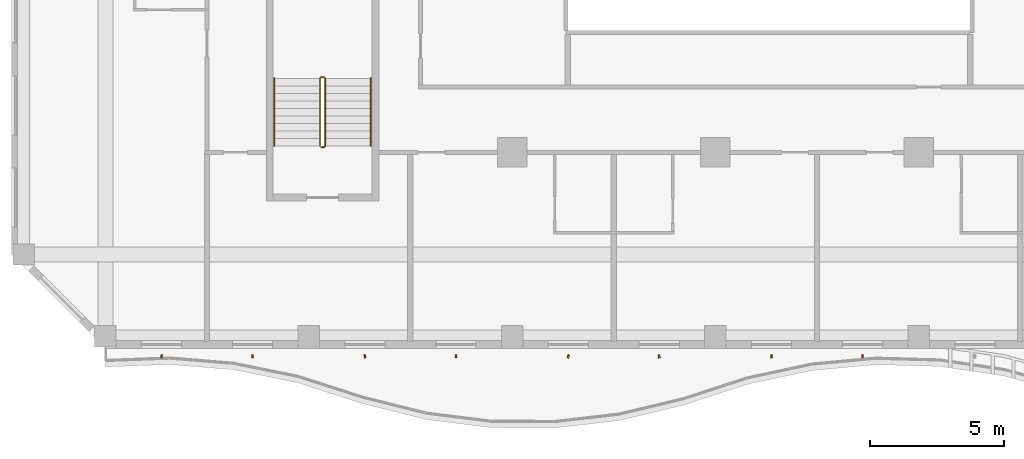
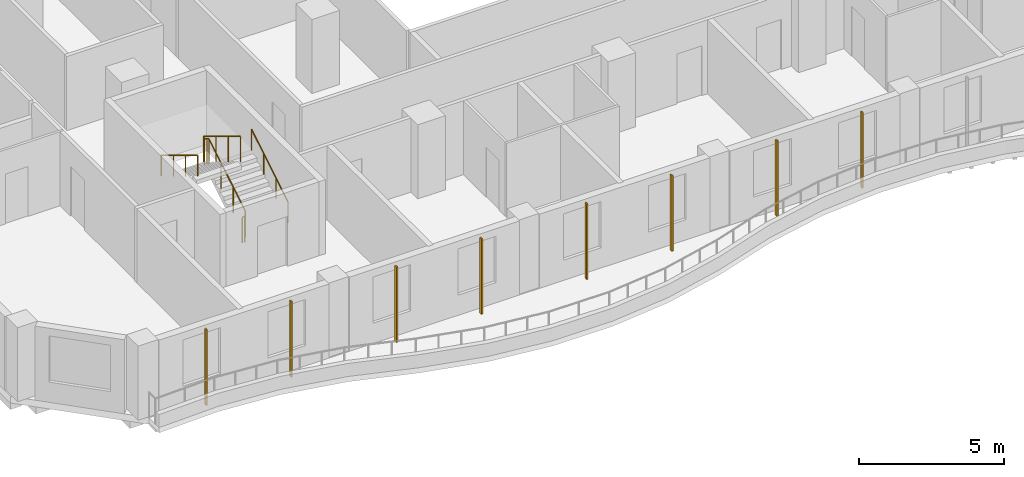
# One storey, part 14 of 20: 8 shading devices, 3 railings.
"""IFC4 building model written with IfcOpenShell, lengths in metres."""

from ifc_helpers import new_model, si_unit, direction, frame, origin, origin_2d, place, context, subcontext, project, spatial, rectangle, circle, extrude, source, transform, mapped, material, material_profile, profile_set, type_object, element, save


model = new_model("IFC4")

# Units and contexts
model_context = context("Model", 3, precision=1e-05, world=origin(), true_north=direction((0.0, 1.0)))
body_context = subcontext(model_context, "Body", "Model", "MODEL_VIEW")
ifc_project = project(units=[si_unit("LENGTHUNIT", "METRE"), si_unit("AREAUNIT", "SQUARE_METRE"), si_unit("VOLUMEUNIT", "CUBIC_METRE"), si_unit("PLANEANGLEUNIT", "RADIAN"), si_unit("MASSUNIT", "GRAM", prefix="KILO")], contexts=[model_context])

# Site, building, storey
site_placement = place(None, origin())
site = spatial("IfcSite", under=ifc_project, at=site_placement, CompositionType="ELEMENT")
building_placement = place(site_placement, origin())
building = spatial("IfcBuilding", under=site, at=building_placement, Name="Kilnfold Tower and Market Hall", CompositionType="ELEMENT")
storey_placement = place(building_placement, frame((0.0, 0.0, 157.5)))
storey = spatial("IfcBuildingStorey", under=building, at=storey_placement, Name="L36", CompositionType="ELEMENT", Elevation=157.5)

# Railings
ifc_material_1 = material(Name="Stainless steel 316", Category="steel")
railing_type_1 = type_object("IfcRailingType", Name="CORE STAIR GUARD 1100", PredefinedType="GUARDRAIL", material=ifc_material_1)
railing_1_placement = place(storey_placement, frame((-15.699951171875, -13.75, 0.0)))
element("IfcRailing", 1, at=railing_1_placement, inside=storey, type_object=railing_type_1, Name="L36 ST3 stair guard 1", PredefinedType="GUARDRAIL", context=body_context, shape_type="SweptSolid", body=[
    extrude(circle(Radius=0.02392578125, at=origin_2d()), frame((0.0, 0.0, 1.076171875), z_axis=(1.0, 0.0, 0.0), x_axis=(0.0, 1.0, 0.0)), (0.0, 0.0, 1.0), 0.099853515625),
    extrude(circle(Radius=0.02392578125, at=origin_2d()), frame((0.099853515625, 0.0, 1.076171875), z_axis=(0.271895245746, 0.271895245746, 0.923117517265), x_axis=(-0.707106781187, 0.707106781187, 0.0)), (0.0, 0.0, 1.0), 0.18408203125),
    extrude(circle(Radius=0.02392578125, at=origin_2d()), frame((0.14990234375, 0.050048828125, 1.24609375), z_axis=(0.0, 0.85478489116, 0.518982456201), x_axis=(-1.0, 0.0, 0.0)), (0.0, 0.0, 1.0), 2.9482421875),
    extrude(circle(Radius=0.02392578125, at=origin_2d()), frame((0.14990234375, 2.570068359375, 2.77587890625), z_axis=(-0.707106781187, 0.707106781187, 0.0), x_axis=(-0.707106781187, -0.707106781187, 0.0)), (0.0, 0.0, 1.0), 0.07080078125),
    extrude(circle(Radius=0.02392578125, at=origin_2d()), frame((0.099853515625, 2.6201171875, 2.77587890625), z_axis=(-1.0, 0.0, 0.0), x_axis=(0.0, -1.0, 0.0)), (0.0, 0.0, 1.0), 0.099853515625),
    extrude(circle(Radius=0.02392578125, at=origin_2d()), frame((0.0, 2.6201171875, 2.77587890625), z_axis=(-0.271562723297, -0.271562723297, 0.923313259209), x_axis=(0.707106781187, -0.707106781187, 0.0)), (0.0, 0.0, 1.0), 0.184326171875),
    extrude(circle(Radius=0.02392578125, at=origin_2d()), frame((-0.050048828125, 2.570068359375, 2.9462890625), z_axis=(0.0, -0.854821627497, 0.518921945155), x_axis=(1.0, 0.0, 0.0)), (0.0, 0.0, 1.0), 2.947998046875),
    extrude(circle(Radius=0.02099609375, at=origin_2d()), origin(), (0.0, 0.0, 1.0), 1.052001953125),
    extrude(circle(Radius=0.02099609375, at=origin_2d()), frame((0.099853515625, 0.0, 0.0)), (0.0, 0.0, 1.0), 1.052001953125),
    extrude(circle(Radius=0.02099609375, at=origin_2d()), frame((0.14990234375, 0.050048828125, 0.169921875)), (0.0, 0.0, 1.0), 1.052001953125),
    extrude(circle(Radius=0.02099609375, at=origin_2d()), frame((0.14990234375, 0.89013671875, 0.679931640625)), (0.0, 0.0, 1.0), 1.052001953125),
    extrude(circle(Radius=0.02099609375, at=origin_2d()), frame((0.14990234375, 1.72998046875, 1.18994140625)), (0.0, 0.0, 1.0), 1.052001953125),
    extrude(circle(Radius=0.02099609375, at=origin_2d()), frame((0.14990234375, 2.570068359375, 1.699951171875)), (0.0, 0.0, 1.0), 1.052001953125),
    extrude(circle(Radius=0.02099609375, at=origin_2d()), frame((0.099853515625, 2.6201171875, 1.699951171875)), (0.0, 0.0, 1.0), 1.052001953125),
    extrude(circle(Radius=0.02099609375, at=origin_2d()), frame((0.0, 2.6201171875, 1.699951171875)), (0.0, 0.0, 1.0), 1.052001953125),
    extrude(circle(Radius=0.02099609375, at=origin_2d()), frame((-0.050048828125, 2.570068359375, 1.8701171875)), (0.0, 0.0, 1.0), 1.052001953125),
    extrude(circle(Radius=0.02099609375, at=origin_2d()), frame((-0.050048828125, 1.72998046875, 2.380126953125)), (0.0, 0.0, 1.0), 1.052001953125),
    extrude(circle(Radius=0.02099609375, at=origin_2d()), frame((-0.050048828125, 0.89013671875, 2.889892578125)), (0.0, 0.0, 1.0), 1.052001953125),
    extrude(circle(Radius=0.02099609375, at=origin_2d()), frame((-0.050048828125, 0.050048828125, 3.39990234375)), (0.0, 0.0, 1.0), 1.052001953125),
])
ifc_material_2 = material(Name="Stainless steel 316", Category="steel")
railing_type_2 = type_object("IfcRailingType", Name="CORE STAIR HANDRAIL 900", PredefinedType="HANDRAIL", material=ifc_material_2)
railing_2_placement = place(storey_placement, frame((-13.85009765625, -13.699951171875, 0.169921875)))
element("IfcRailing", 2, at=railing_2_placement, inside=storey, type_object=railing_type_2, Name="L36 ST3 stair handrail 1", PredefinedType="HANDRAIL", context=body_context, shape_type="SweptSolid", body=[
    extrude(circle(Radius=0.02392578125, at=origin_2d()), frame((0.0, 0.0, 0.8759765625), z_axis=(0.0, 0.85478489116, 0.518982456201), x_axis=(-1.0, 0.0, 0.0)), (0.0, 0.0, 1.0), 2.9482421875),
    extrude(circle(Radius=0.02099609375, at=origin_2d()), origin(), (0.0, 0.0, 1.0), 0.851806640625),
    extrude(circle(Radius=0.02099609375, at=origin_2d()), frame((0.0, 0.840087890625, 0.510009765625)), (0.0, 0.0, 1.0), 0.851806640625),
    extrude(circle(Radius=0.02099609375, at=origin_2d()), frame((0.0, 1.679931640625, 1.02001953125)), (0.0, 0.0, 1.0), 0.851806640625),
    extrude(circle(Radius=0.02099609375, at=origin_2d()), frame((0.0, 2.52001953125, 1.530029296875)), (0.0, 0.0, 1.0), 0.851806640625),
])
railing_3_placement = place(storey_placement, frame((-17.449951171875, -11.179931640625, 1.8701171875)))
element("IfcRailing", 3, at=railing_3_placement, inside=storey, type_object=railing_type_2, Name="L36 ST3 stair handrail 2", PredefinedType="HANDRAIL", context=body_context, shape_type="SweptSolid", body=[
    extrude(circle(Radius=0.02392578125, at=origin_2d()), frame((0.0, 0.0, 0.8759765625), z_axis=(0.0, -0.854821627497, 0.518921945155), x_axis=(1.0, 0.0, 0.0)), (0.0, 0.0, 1.0), 2.947998046875),
    extrude(circle(Radius=0.02099609375, at=origin_2d()), origin(), (0.0, 0.0, 1.0), 0.851806640625),
    extrude(circle(Radius=0.02099609375, at=origin_2d()), frame((0.0, -0.840087890625, 0.510009765625)), (0.0, 0.0, 1.0), 0.851806640625),
    extrude(circle(Radius=0.02099609375, at=origin_2d()), frame((0.0, -1.679931640625, 1.019775390625)), (0.0, 0.0, 1.0), 0.851806640625),
    extrude(circle(Radius=0.02099609375, at=origin_2d()), frame((0.0, -2.52001953125, 1.52978515625)), (0.0, 0.0, 1.0), 0.851806640625),
])

# Shading devices
ifc_material_3 = material(Name="Terracotta", Category="masonry")
ifc_material_profile = material_profile(ifc_material_3, rectangle(XDim=0.06005859375, YDim=0.1201171875, at=origin_2d()), Name="BAG 60x120")
ifc_profile_set = profile_set([ifc_material_profile], Name="Terracotta")
shading_device_type = type_object("IfcShadingDeviceType", Name="BAGUETTE", PredefinedType="USERDEFINED", material=ifc_profile_set)
shared_shape = source(origin(), body_context, "Body", "SweptSolid", [
    extrude(rectangle(XDim=0.06005859375, YDim=0.1201171875, at=origin_2d()), origin(), (0.0, 0.0, 1.0), 3.179931640625),
])
for number, where, z_axis, x_axis, name in (
    (4, (-21.654296875, -21.550048828125, 0.0), (0.0, 0.0, 1.0), (0.990531040757, -0.137288955479, 0.0), "Terracotta baguette L36 S"),
    (5, (-18.2626953125, -21.550048828125, 0.0), (0.0, 0.0, 1.0), (0.999560895058, -0.029631352846, 0.0), "Terracotta baguette L36 S"),
    (6, (-14.07080078125, -21.550048828125, 0.0), (0.0, 0.0, 1.0), (0.990358461668, 0.138528399266, 0.0), "Terracotta baguette L36 S"),
    (7, (-10.67919921875, -21.550048828125, 0.0), (0.0, 0.0, 1.0), (0.999977599699, -0.006693287704, 0.0), "Terracotta baguette L36 S"),
    (8, (-6.4873046875, -21.550048828125, 0.0), (0.0, 0.0, 1.0), (0.991463759299, -0.13038256784, 0.0), "Terracotta baguette L36 S"),
    (9, (-3.095703125, -21.550048828125, 0.0), (0.0, 0.0, 1.0), (0.99909439186, 0.04254875032, 0.0), "Terracotta baguette L36 S"),
    (10, (1.095703125, -21.550048828125, 0.0), (0.0, 0.0, 1.0), (0.993551489203, 0.11338182527, 0.0), "Terracotta baguette L36 S"),
    (11, (4.4873046875, -21.550048828125, 0.0), (0.0, 0.0, 1.0), (0.997149294852, -0.07545385197, 0.0), "Terracotta baguette L36 S"),
):
    element("IfcShadingDevice", number, at=place(storey_placement, frame(where, z_axis=z_axis, x_axis=x_axis)), inside=storey, type_object=shading_device_type, Name=name, ObjectType="BAGUETTE", PredefinedType="USERDEFINED", context=body_context, shape_type="MappedRepresentation", body=[
        mapped(shared_shape, transform((0.0, 0.0, 0.0))),
    ])

save(model, "model.ifc")
